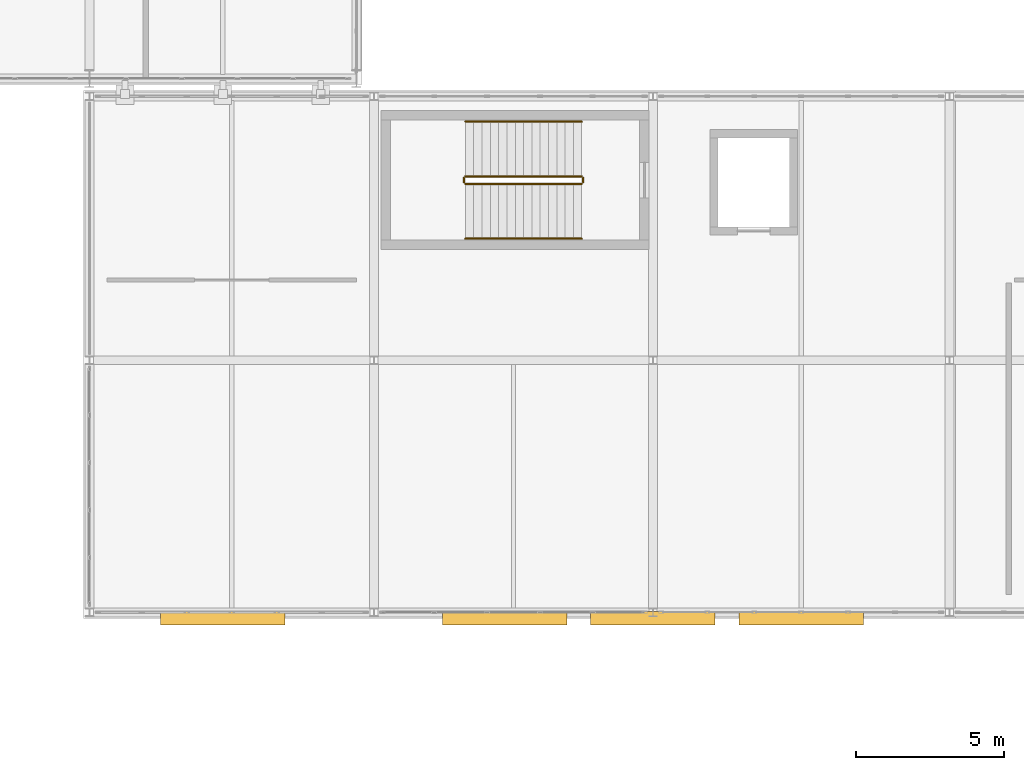
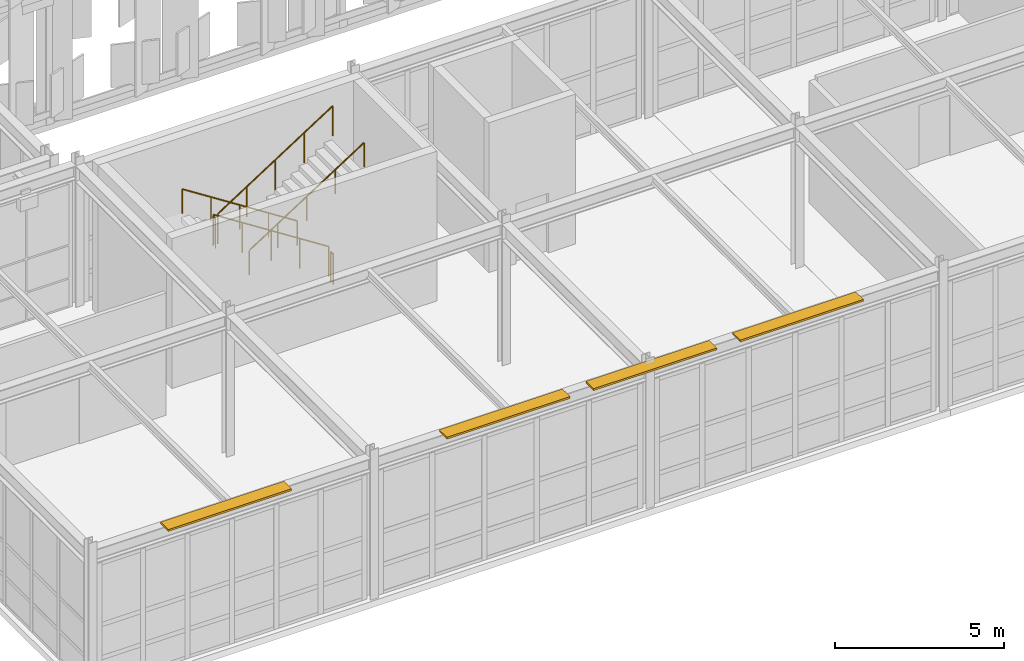
# One storey, part 226 of 239: 6 railings, 4 shading devices.
"""IFC4 building model written with IfcOpenShell, lengths in metres."""

from ifc_helpers import new_model, si_unit, direction, frame, origin, origin_2d, place, context, subcontext, project, spatial, rectangle, circle, extrude, material, type_object, element, save


model = new_model("IFC4")

# Units and contexts
model_context = context("Model", 3, precision=1e-05, world=origin(), true_north=direction((0.0, 1.0)))
body_context = subcontext(model_context, "Body", "Model", "MODEL_VIEW")
ifc_project = project(units=[si_unit("LENGTHUNIT", "METRE"), si_unit("AREAUNIT", "SQUARE_METRE"), si_unit("VOLUMEUNIT", "CUBIC_METRE"), si_unit("PLANEANGLEUNIT", "RADIAN"), si_unit("MASSUNIT", "GRAM", prefix="KILO")], contexts=[model_context])

# Site, building, storey
site_placement = place(None, origin())
site = spatial("IfcSite", under=ifc_project, at=site_placement, CompositionType="ELEMENT")
building_placement = place(site_placement, origin())
building = spatial("IfcBuilding", under=site, at=building_placement, Name="Kaldris Quays Convention Centre", CompositionType="ELEMENT")
storey_placement = place(building_placement, frame((0.0, 0.0, 11.39990234375)))
storey = spatial("IfcBuildingStorey", under=building, at=storey_placement, Name="L02", CompositionType="ELEMENT", Elevation=11.39990234375)

# Railings
ifc_material_1 = material(Name="Steel S355J2", Category="steel")
railing_type_1 = type_object("IfcRailingType", Name="INTERIOR GUARDRAIL GR01", PredefinedType="GUARDRAIL", material=ifc_material_1)
railing_1_placement = place(storey_placement, frame((171.60009765625, 34.699951171875, 0.18017578125)))
element("IfcRailing", 1, at=railing_1_placement, inside=storey, type_object=railing_type_1, Name="L02 ST15 Stair Guardrail 1", PredefinedType="GUARDRAIL", context=body_context, shape_type="SweptSolid", body=[
    extrude(circle(Radius=0.02392578125, at=origin_2d()), frame((0.0, 0.0, 1.076171875), z_axis=(-0.841186985886, 0.0, 0.540744352514), x_axis=(0.0, -1.0, 0.0)), (0.0, 0.0, 1.0), 4.660400390625),
    extrude(circle(Radius=0.02099609375, at=origin_2d()), origin(), (0.0, 0.0, 1.0), 1.052001953125),
    extrude(circle(Radius=0.02099609375, at=origin_2d()), frame((-0.97998046875, 0.0, 0.6298828125)), (0.0, 0.0, 1.0), 1.052001953125),
    extrude(circle(Radius=0.02099609375, at=origin_2d()), frame((-1.9599609375, 0.0, 1.260009765625)), (0.0, 0.0, 1.0), 1.052001953125),
    extrude(circle(Radius=0.02099609375, at=origin_2d()), frame((-2.940185546875, 0.0, 1.89013671875)), (0.0, 0.0, 1.0), 1.052001953125),
    extrude(circle(Radius=0.02099609375, at=origin_2d()), frame((-3.920166015625, 0.0, 2.52001953125)), (0.0, 0.0, 1.0), 1.052001953125),
])
railing_2_placement = place(storey_placement, frame((167.6298828125, 34.64990234375, 2.7001953125)))
element("IfcRailing", 2, at=railing_2_placement, inside=storey, type_object=railing_type_1, Name="L02 ST15 Stair Guardrail 2", PredefinedType="GUARDRAIL", context=body_context, shape_type="SweptSolid", body=[
    extrude(circle(Radius=0.02392578125, at=origin_2d()), frame((0.0, 0.0, 1.076171875), z_axis=(0.0, -1.0, 0.0), x_axis=(1.0, 0.0, 0.0)), (0.0, 0.0, 1.0), 0.14990234375),
    extrude(circle(Radius=0.02099609375, at=origin_2d()), origin(), (0.0, 0.0, 1.0), 1.052001953125),
    extrude(circle(Radius=0.02099609375, at=origin_2d()), frame((0.0, -0.14990234375, 0.0)), (0.0, 0.0, 1.0), 1.052001953125),
])
railing_3_placement = place(storey_placement, frame((167.679931640625, 34.449951171875, 2.880126953125)))
element("IfcRailing", 3, at=railing_3_placement, inside=storey, type_object=railing_type_1, Name="L02 ST15 Stair Guardrail 3", PredefinedType="GUARDRAIL", context=body_context, shape_type="SweptSolid", body=[
    extrude(circle(Radius=0.02392578125, at=origin_2d()), frame((0.0, 0.0, 1.076171875), z_axis=(0.841186985886, 0.0, 0.540744352514), x_axis=(0.0, 1.0, 0.0)), (0.0, 0.0, 1.0), 4.660400390625),
    extrude(circle(Radius=0.02099609375, at=origin_2d()), origin(), (0.0, 0.0, 1.0), 1.052001953125),
    extrude(circle(Radius=0.02099609375, at=origin_2d()), frame((0.97998046875, 0.0, 0.6298828125)), (0.0, 0.0, 1.0), 1.052001953125),
    extrude(circle(Radius=0.02099609375, at=origin_2d()), frame((1.9599609375, 0.0, 1.260009765625)), (0.0, 0.0, 1.0), 1.052001953125),
    extrude(circle(Radius=0.02099609375, at=origin_2d()), frame((2.940185546875, 0.0, 1.89013671875)), (0.0, 0.0, 1.0), 1.052001953125),
    extrude(circle(Radius=0.02099609375, at=origin_2d()), frame((3.920166015625, 0.0, 2.52001953125)), (0.0, 0.0, 1.0), 1.052001953125),
])
railing_4_placement = place(storey_placement, frame((171.64990234375, 34.64990234375, 0.0)))
element("IfcRailing", 4, at=railing_4_placement, inside=storey, type_object=railing_type_1, Name="L02 ST15 Stair Guardrail 4", PredefinedType="GUARDRAIL", context=body_context, shape_type="SweptSolid", body=[
    extrude(circle(Radius=0.02392578125, at=origin_2d()), frame((0.0, 0.0, 1.076171875), z_axis=(0.0, -1.0, 0.0), x_axis=(1.0, 0.0, 0.0)), (0.0, 0.0, 1.0), 0.14990234375),
    extrude(circle(Radius=0.02099609375, at=origin_2d()), origin(), (0.0, 0.0, 1.0), 1.052001953125),
    extrude(circle(Radius=0.02099609375, at=origin_2d()), frame((0.0, -0.14990234375, 0.0)), (0.0, 0.0, 1.0), 1.052001953125),
])

# Shading devices
ifc_material_2 = material(Name="Anodized aluminium AW-6060", Category="aluminium")
shading_device_type = type_object("IfcShadingDeviceType", Name="SOLAR SHADING LOUVRE SH02", PredefinedType="USERDEFINED", material=ifc_material_2)
for number, where, z_axis, x_axis, name in (
    (5, (159.5, 19.800048828125, 5.125), (0.0, 0.0, 1.0), (1.0, 0.0, 0.0), "L02 Riverfront Solar Louvre 7"),
    (6, (169.0, 19.800048828125, 5.125), (0.0, 0.0, 1.0), (1.0, 0.0, 0.0), "L02 Riverfront Solar Louvre 8"),
    (7, (179.0, 19.800048828125, 5.125), (0.0, 0.0, 1.0), (1.0, 0.0, 0.0), "L02 Riverfront Solar Louvre 9"),
    (8, (174.0, 19.800048828125, 5.125), (0.0, 0.0, 1.0), (1.0, 0.0, 0.0), "L02 Riverfront Solar Louvre 12"),
):
    element("IfcShadingDevice", number, at=place(storey_placement, frame(where, z_axis=z_axis, x_axis=x_axis)), inside=storey, type_object=shading_device_type, Name=name, ObjectType="LOUVRE", PredefinedType="USERDEFINED", context=body_context, shape_type="SweptSolid", body=[
        extrude(rectangle(XDim=4.199951171875, YDim=0.449951171875, at=origin_2d()), origin(), (0.0, 0.0, 1.0), 0.070068359375),
    ])

# Railings
ifc_material_3 = material(Name="Stainless steel 1.4301", Category="steel")
railing_type_2 = type_object("IfcRailingType", Name="STAIR HANDRAIL HR01", PredefinedType="HANDRAIL", material=ifc_material_3)
railing_5_placement = place(storey_placement, frame((171.60009765625, 36.550048828125, 0.18017578125)))
element("IfcRailing", 9, at=railing_5_placement, inside=storey, type_object=railing_type_2, Name="L02 ST15 Flight Handrail 1", PredefinedType="HANDRAIL", context=body_context, shape_type="SweptSolid", body=[
    extrude(circle(Radius=0.02392578125, at=origin_2d()), frame((0.0, 0.0, 0.8759765625), z_axis=(-0.841186985886, 0.0, 0.540744352514), x_axis=(0.0, -1.0, 0.0)), (0.0, 0.0, 1.0), 4.660400390625),
    extrude(circle(Radius=0.02099609375, at=origin_2d()), origin(), (0.0, 0.0, 1.0), 0.851806640625),
    extrude(circle(Radius=0.02099609375, at=origin_2d()), frame((-0.97998046875, 0.0, 0.6298828125)), (0.0, 0.0, 1.0), 0.851806640625),
    extrude(circle(Radius=0.02099609375, at=origin_2d()), frame((-1.9599609375, 0.0, 1.260009765625)), (0.0, 0.0, 1.0), 0.851806640625),
    extrude(circle(Radius=0.02099609375, at=origin_2d()), frame((-2.940185546875, 0.0, 1.89013671875)), (0.0, 0.0, 1.0), 0.851806640625),
    extrude(circle(Radius=0.02099609375, at=origin_2d()), frame((-3.920166015625, 0.0, 2.52001953125)), (0.0, 0.0, 1.0), 0.851806640625),
])
railing_6_placement = place(storey_placement, frame((167.679931640625, 32.60009765625, 2.880126953125)))
element("IfcRailing", 10, at=railing_6_placement, inside=storey, type_object=railing_type_2, Name="L02 ST15 Flight Handrail 2", PredefinedType="HANDRAIL", context=body_context, shape_type="SweptSolid", body=[
    extrude(circle(Radius=0.02392578125, at=origin_2d()), frame((0.0, 0.0, 0.8759765625), z_axis=(0.841186985886, 0.0, 0.540744352514), x_axis=(0.0, 1.0, 0.0)), (0.0, 0.0, 1.0), 4.660400390625),
    extrude(circle(Radius=0.02099609375, at=origin_2d()), origin(), (0.0, 0.0, 1.0), 0.851806640625),
    extrude(circle(Radius=0.02099609375, at=origin_2d()), frame((0.97998046875, 0.0, 0.6298828125)), (0.0, 0.0, 1.0), 0.851806640625),
    extrude(circle(Radius=0.02099609375, at=origin_2d()), frame((1.9599609375, 0.0, 1.260009765625)), (0.0, 0.0, 1.0), 0.851806640625),
    extrude(circle(Radius=0.02099609375, at=origin_2d()), frame((2.940185546875, 0.0, 1.89013671875)), (0.0, 0.0, 1.0), 0.851806640625),
    extrude(circle(Radius=0.02099609375, at=origin_2d()), frame((3.920166015625, 0.0, 2.52001953125)), (0.0, 0.0, 1.0), 0.851806640625),
])

save(model, "model.ifc")
